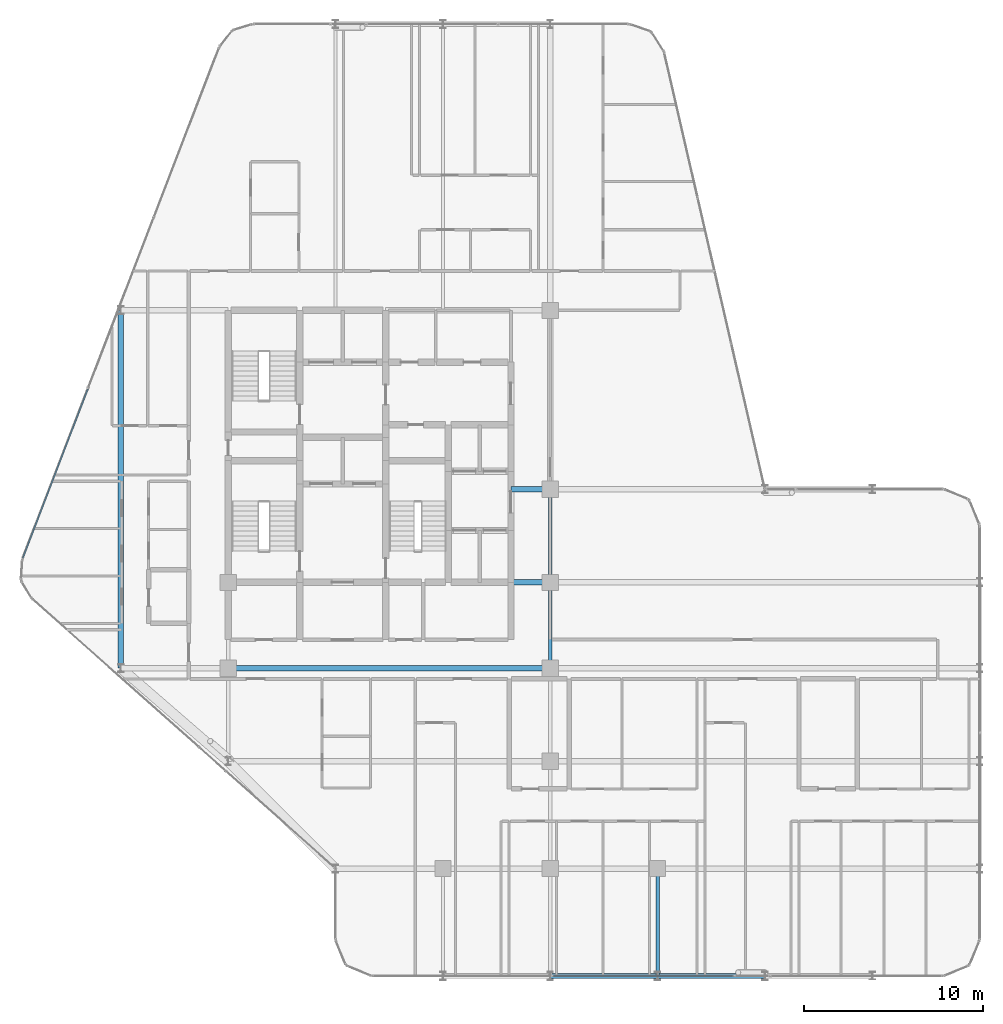
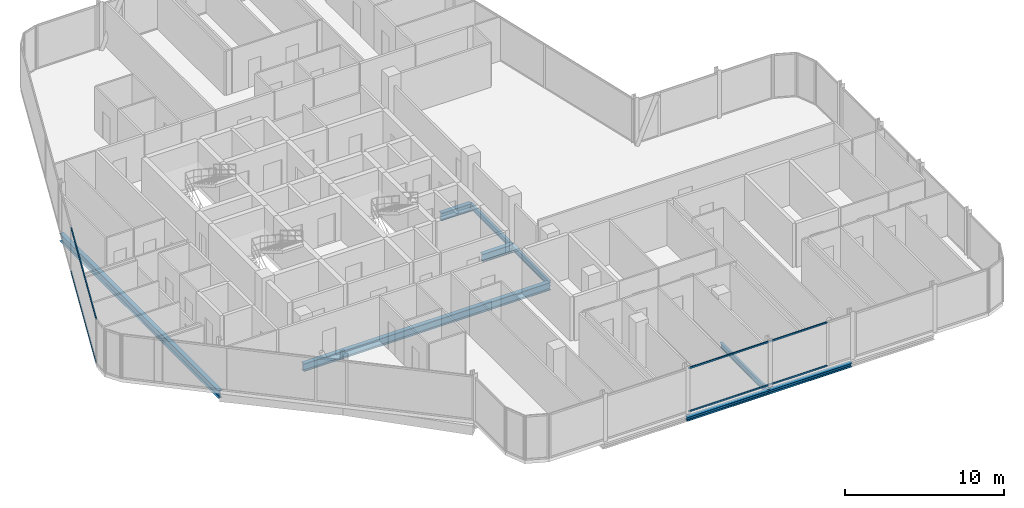
# One storey, part 9 of 29: 9 beams, 4 members, 2 elements without a shape of their own.
"""IFC4 building model written with IfcOpenShell, lengths in metres."""

from ifc_helpers import new_model, si_unit, direction, frame, origin, origin_2d, place, context, subcontext, project, spatial, hollow_rectangle, i_section, extrude, material, layer, layer_set, material_profile, profile_set, type_object, element, aggregate, save


model = new_model("IFC4")

# Units and contexts
model_context = context("Model", 3, precision=1e-05, world=origin(), true_north=direction((0.0, 1.0)))
body_context = subcontext(model_context, "Body", "Model", "MODEL_VIEW")
ifc_project = project(units=[si_unit("LENGTHUNIT", "METRE"), si_unit("AREAUNIT", "SQUARE_METRE"), si_unit("VOLUMEUNIT", "CUBIC_METRE"), si_unit("PLANEANGLEUNIT", "RADIAN"), si_unit("MASSUNIT", "GRAM", prefix="KILO")], contexts=[model_context])

# Site, building, storey
site_placement = place(None, origin())
site = spatial("IfcSite", under=ifc_project, at=site_placement, CompositionType="ELEMENT")
building_placement = place(site_placement, origin())
building = spatial("IfcBuilding", under=site, at=building_placement, Name="Keshet Zoharim Tower", CompositionType="ELEMENT")
storey_placement = place(building_placement, frame((0.0, 0.0, 169.10009765625)))
storey = spatial("IfcBuildingStorey", under=building, at=storey_placement, Name="L41", CompositionType="ELEMENT", Elevation=169.10009765625)

# Beams
ifc_material_1 = material(Name="Steel S355", Category="steel")
ifc_material_profile_1 = material_profile(ifc_material_1, i_section(OverallWidth=0.300048828125, OverallDepth=0.60009765625, WebThickness=0.015380859375, FlangeThickness=0.030029296875, FilletRadius=0.027099609375, at=origin_2d()), Name="HEB600")
ifc_profile_set_1 = profile_set([ifc_material_profile_1], Name="Steel S355")
beam_type_1 = type_object("IfcBeamType", Name="BM-CLK-HB600", PredefinedType="BEAM", material=ifc_profile_set_1)
for number, where, z_axis, x_axis, name in (
    (1, (30.800048828125, 22.699951171875, -0.610107421875), (1.0, 0.0, 0.0), (0.0, 1.0, 0.0), "L41 Core Wall Link Girder 01"),
    (2, (30.800048828125, 27.89990234375, -0.610107421875), (1.0, 0.0, 0.0), (0.0, 1.0, 0.0), "L41 Core Wall Link Girder 02"),
):
    element("IfcBeam", number, at=place(storey_placement, frame(where, z_axis=z_axis, x_axis=x_axis)), inside=storey, type_object=beam_type_1, Name=name, PredefinedType="BEAM", context=body_context, shape_type="SweptSolid", body=[
        extrude(i_section(OverallWidth=0.300048828125, OverallDepth=0.60009765625, WebThickness=0.015380859375, FlangeThickness=0.030029296875, FilletRadius=0.027099609375, at=origin_2d()), origin(), (0.0, 0.0, 1.0), 2.199951171875),
    ])
ifc_material_profile_2 = material_profile(ifc_material_1, i_section(OverallWidth=0.300048828125, OverallDepth=0.60009765625, WebThickness=0.015380859375, FlangeThickness=0.030029296875, FilletRadius=0.027099609375, at=origin_2d()), Name="HEB600")
ifc_profile_set_2 = profile_set([ifc_material_profile_2], Name="Steel S355")
beam_type_2 = type_object("IfcBeamType", Name="BM-LNG-HB600", PredefinedType="BEAM", material=ifc_profile_set_2)
beam_1_placement = place(storey_placement, frame((15.0, 17.89990234375, -0.610107421875), z_axis=(1.0, 0.0, 0.0), x_axis=(0.0, 1.0, 0.0)))
element("IfcBeam", 3, at=beam_1_placement, inside=storey, type_object=beam_type_2, Name="L41 Primary Girder X-012", PredefinedType="BEAM", context=body_context, shape_type="SweptSolid", body=[
    extrude(i_section(OverallWidth=0.300048828125, OverallDepth=0.60009765625, WebThickness=0.015380859375, FlangeThickness=0.030029296875, FilletRadius=0.027099609375, at=origin_2d()), origin(), (0.0, 0.0, 1.0), 18.0),
])
beam_2_placement = place(storey_placement, frame((9.0, 17.89990234375, -0.610107421875), z_axis=(0.0, 1.0, 0.0), x_axis=(-1.0, 0.0, 0.0)))
element("IfcBeam", 4, at=beam_2_placement, inside=storey, type_object=beam_type_2, Name="L41 Primary Girder Y-001", PredefinedType="BEAM", context=body_context, shape_type="SweptSolid", body=[
    extrude(i_section(OverallWidth=0.300048828125, OverallDepth=0.60009765625, WebThickness=0.015380859375, FlangeThickness=0.030029296875, FilletRadius=0.027099609375, at=origin_2d()), origin(), (0.0, 0.0, 1.0), 20.0),
])
ifc_material_profile_3 = material_profile(ifc_material_1, i_section(OverallWidth=0.300048828125, OverallDepth=0.300048828125, WebThickness=0.010986328125, FlangeThickness=0.01904296875, FilletRadius=0.027099609375, at=origin_2d()), Name="HEB300")
ifc_profile_set_3 = profile_set([ifc_material_profile_3], Name="Steel S355")
beam_type_3 = type_object("IfcBeamType", Name="BM-PRI-HB300", PredefinedType="BEAM", material=ifc_profile_set_3)
for number, where, z_axis, x_axis, name in (
    (5, (33.0, 0.699951171875, -0.460205078125), (1.0, 0.0, 0.0), (0.0, 1.0, 0.0), "L41 Primary Girder X-002"),
    (6, (39.0, 0.699951171875, -0.460205078125), (1.0, 0.0, 0.0), (0.0, 1.0, 0.0), "L41 Primary Girder X-003"),
):
    element("IfcBeam", number, at=place(storey_placement, frame(where, z_axis=z_axis, x_axis=x_axis)), inside=storey, type_object=beam_type_3, Name=name, PredefinedType="BEAM", context=body_context, shape_type="SweptSolid", body=[
        extrude(i_section(OverallWidth=0.300048828125, OverallDepth=0.300048828125, WebThickness=0.010986328125, FlangeThickness=0.01904296875, FilletRadius=0.027099609375, at=origin_2d()), origin(), (0.0, 0.0, 1.0), 6.0),
    ])
ifc_material_profile_4 = material_profile(ifc_material_1, i_section(OverallWidth=0.179931640625, OverallDepth=0.39990234375, WebThickness=0.008544921875, FlangeThickness=0.013427734375, FilletRadius=0.02099609375, at=origin_2d()), Name="IPE400")
ifc_profile_set_4 = profile_set([ifc_material_profile_4], Name="Steel S355")
beam_type_4 = type_object("IfcBeamType", Name="BM-PRI-IP400", PredefinedType="BEAM", material=ifc_profile_set_4)
beam_3_placement = place(storey_placement, frame((33.0, 17.89990234375, -0.510009765625), z_axis=(0.0, 1.0, 0.0), x_axis=(-1.0, 0.0, 0.0)))
element("IfcBeam", 7, at=beam_3_placement, inside=storey, type_object=beam_type_4, Name="L41 Primary Girder Y-008", PredefinedType="BEAM", context=body_context, shape_type="SweptSolid", body=[
    extrude(i_section(OverallWidth=0.179931640625, OverallDepth=0.39990234375, WebThickness=0.008544921875, FlangeThickness=0.013427734375, FilletRadius=0.02099609375, at=origin_2d()), origin(), (0.0, 0.0, 1.0), 4.800048828125),
])
beam_4_placement = place(storey_placement, frame((33.0, 22.699951171875, -0.510009765625), z_axis=(0.0, 1.0, 0.0), x_axis=(-1.0, 0.0, 0.0)))
element("IfcBeam", 8, at=beam_4_placement, inside=storey, type_object=beam_type_4, Name="L41 Primary Girder Y-009", PredefinedType="BEAM", context=body_context, shape_type="SweptSolid", body=[
    extrude(i_section(OverallWidth=0.179931640625, OverallDepth=0.39990234375, WebThickness=0.008544921875, FlangeThickness=0.013427734375, FilletRadius=0.02099609375, at=origin_2d()), origin(), (0.0, 0.0, 1.0), 5.199951171875),
])
beam_5_placement = place(storey_placement, frame((39.0, 0.699951171875, -0.510009765625), z_axis=(0.0, 1.0, 0.0), x_axis=(-1.0, 0.0, 0.0)))
element("IfcBeam", 9, at=beam_5_placement, inside=storey, type_object=beam_type_4, Name="L41 Primary Girder Y-012", PredefinedType="BEAM", context=body_context, shape_type="SweptSolid", body=[
    extrude(i_section(OverallWidth=0.179931640625, OverallDepth=0.39990234375, WebThickness=0.008544921875, FlangeThickness=0.013427734375, FilletRadius=0.02099609375, at=origin_2d()), origin(), (0.0, 0.0, 1.0), 6.0),
])

# Curtain wall, members
ifc_material_2 = material(Name="Aluminium 6063-T6", Category="aluminium")
ifc_layer = layer(ifc_material_2, 0.139892578125)
ifc_layer_set = layer_set([ifc_layer], Name="Aluminium 6063-T6")
curtain_wall_type = type_object("IfcCurtainWallType", Name="CW-SYS-05", PredefinedType="NOTDEFINED", material=ifc_layer_set)
curtain_wall_1_placement = place(storey_placement, origin())
curtain_wall_1 = element("IfcCurtainWall", 10, at=curtain_wall_1_placement, inside=storey, type_object=curtain_wall_type, Name="L41 Unitised Curtain Wall 06 Part 3", PredefinedType="NOTDEFINED")
ifc_material_profile_5 = material_profile(ifc_material_2, hollow_rectangle(XDim=0.074951171875, YDim=0.1201171875, WallThickness=0.00390625, at=origin_2d()), Name="TRN-75x120")
ifc_profile_set_5 = profile_set([ifc_material_profile_5], Name="Aluminium 6063-T6")
member_type = type_object("IfcMemberType", Name="CWT-T12", PredefinedType="USERDEFINED", material=ifc_profile_set_5)
member_1_placement = place(storey_placement, frame((43.251953125, 0.699951171875, 0.034912109375), z_axis=(-1.0, 0.0, 0.0), x_axis=(0.0, -1.0, 0.0)))
member_1 = element("IfcMember", 11, at=member_1_placement, type_object=member_type, Name="CW-05 transom 1.1", ObjectType="TRANSOM", PredefinedType="USERDEFINED", context=body_context, shape_type="SweptSolid", body=[
    extrude(hollow_rectangle(XDim=0.074951171875, YDim=0.1201171875, WallThickness=0.00390625, at=origin_2d()), origin(), (0.0, 0.0, 1.0), 10.091064453125),
])
member_2_placement = place(storey_placement, frame((43.251953125, 0.699951171875, 3.35498046875), z_axis=(-1.0, 0.0, 0.0), x_axis=(0.0, -1.0, 0.0)))
member_2 = element("IfcMember", 12, at=member_2_placement, type_object=member_type, Name="CW-05 transom 1.2", ObjectType="TRANSOM", PredefinedType="USERDEFINED", context=body_context, shape_type="SweptSolid", body=[
    extrude(hollow_rectangle(XDim=0.074951171875, YDim=0.1201171875, WallThickness=0.00390625, at=origin_2d()), origin(), (0.0, 0.0, 1.0), 10.091064453125),
])
aggregate(curtain_wall_1, [member_1, member_2])

curtain_wall_2_placement = place(storey_placement, origin())
curtain_wall_2 = element("IfcCurtainWall", 13, at=curtain_wall_2_placement, inside=storey, type_object=curtain_wall_type, Name="L41 Unitised Curtain Wall 13", PredefinedType="NOTDEFINED")
member_3_placement = place(storey_placement, frame((3.522216796875, 24.058349609375, 0.034912109375), z_axis=(0.358993631387, 0.93334000912, 0.0), x_axis=(-0.93334000912, 0.358993631387, 0.0)))
member_3 = element("IfcMember", 14, at=member_3_placement, type_object=member_type, Name="CW-05 transom 1.1", ObjectType="TRANSOM", PredefinedType="USERDEFINED", context=body_context, shape_type="SweptSolid", body=[
    extrude(hollow_rectangle(XDim=0.074951171875, YDim=0.1201171875, WallThickness=0.00390625, at=origin_2d()), origin(), (0.0, 0.0, 1.0), 10.1181640625),
])
member_4_placement = place(storey_placement, frame((3.522216796875, 24.058349609375, 3.35498046875), z_axis=(0.358993631387, 0.93334000912, 0.0), x_axis=(-0.93334000912, 0.358993631387, 0.0)))
member_4 = element("IfcMember", 15, at=member_4_placement, type_object=member_type, Name="CW-05 transom 1.2", ObjectType="TRANSOM", PredefinedType="USERDEFINED", context=body_context, shape_type="SweptSolid", body=[
    extrude(hollow_rectangle(XDim=0.074951171875, YDim=0.1201171875, WallThickness=0.00390625, at=origin_2d()), origin(), (0.0, 0.0, 1.0), 10.1181640625),
])
aggregate(curtain_wall_2, [member_3, member_4])

save(model, "model.ifc")
